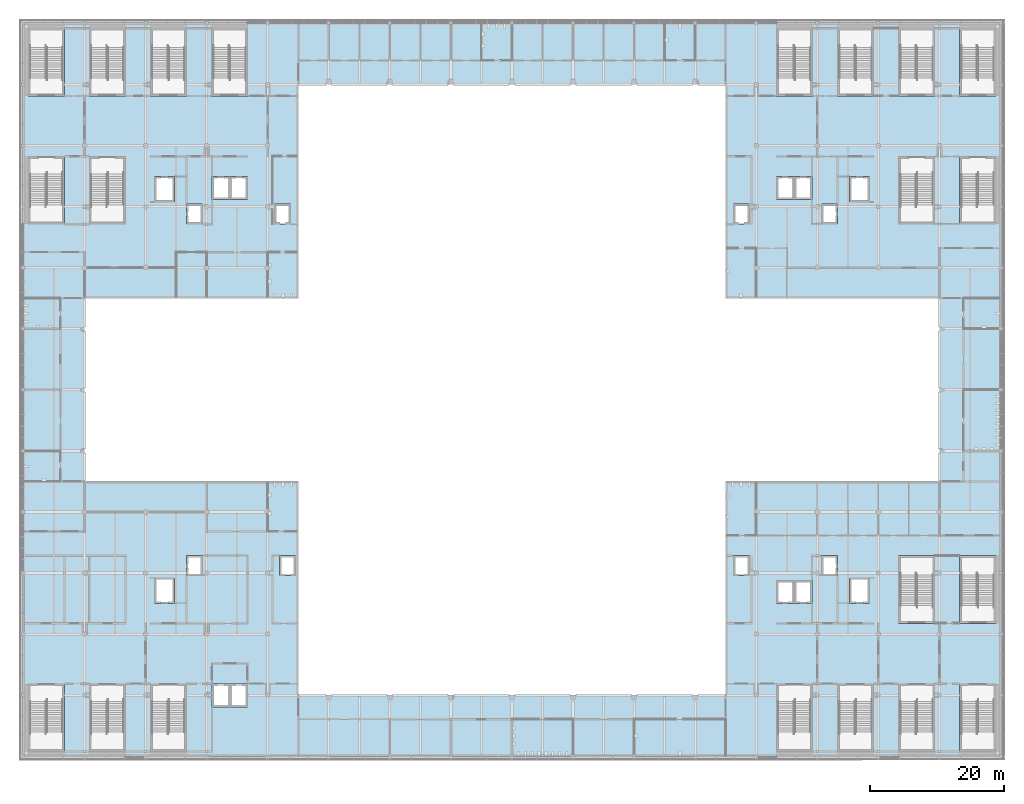
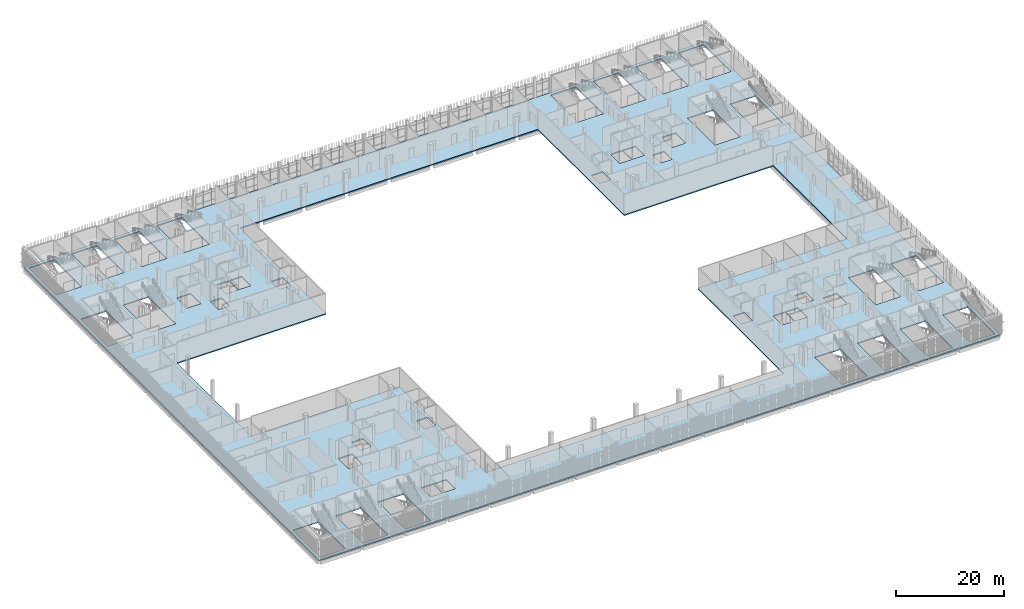
# One storey, part 60 of 124: 1 slab.
"""IFC4 building model written with IfcOpenShell, lengths in metres."""

from ifc_helpers import new_model, si_unit, direction, frame, origin, place, context, subcontext, project, spatial, polyline, outline, extrude, material, layer, layer_set, type_object, element, save


model = new_model("IFC4")

# Units and contexts
model_context = context("Model", 3, precision=1e-05, world=origin(), true_north=direction((0.0, 1.0)))
body_context = subcontext(model_context, "Body", "Model", "MODEL_VIEW")
ifc_project = project(units=[si_unit("LENGTHUNIT", "METRE"), si_unit("AREAUNIT", "SQUARE_METRE"), si_unit("VOLUMEUNIT", "CUBIC_METRE"), si_unit("PLANEANGLEUNIT", "RADIAN"), si_unit("MASSUNIT", "GRAM", prefix="KILO")], contexts=[model_context])

# Site, building, storey
site_placement = place(None, origin())
site = spatial("IfcSite", under=ifc_project, at=site_placement, CompositionType="ELEMENT")
building_placement = place(site_placement, origin())
building = spatial("IfcBuilding", under=site, at=building_placement, Name="Shirokan Park Arena", CompositionType="ELEMENT")
storey_placement = place(building_placement, frame((0.0, 0.0, 20.02001953125)))
storey = spatial("IfcBuildingStorey", under=building, at=storey_placement, Name="L04", CompositionType="ELEMENT", Elevation=20.02001953125)

# Slab
ifc_material = material(Name="Concrete C35", Category="concrete")
ifc_layer = layer(ifc_material, 0.25)
ifc_layer_set = layer_set([ifc_layer], Name="Concrete C35 250 mm")
slab_type = type_object("IfcSlabType", Name="RC floor slab 250", PredefinedType="FLOOR", material=ifc_layer_set)
slab_placement = place(storey_placement, frame((0.0, 0.0, -0.25)))
element("IfcSlab", 1, at=slab_placement, inside=storey, type_object=slab_type, Name="Floor slab L04", PredefinedType="FLOOR", context=body_context, shape_type="SweptSolid", body=[
    extrude(outline(polyline([(0.0, 109.199951171875), (145.60009765625, 109.199951171875), (145.60009765625, 0.0), (0.0, 0.0), (0.0, 109.199951171875)]), holes=[polyline([(136.5, 40.949951171875), (136.5, 68.25), (104.64990234375, 68.25), (104.64990234375, 100.10009765625), (40.949951171875, 100.10009765625), (40.949951171875, 68.25), (9.10009765625, 68.25), (9.10009765625, 40.949951171875), (40.949951171875, 40.949951171875), (40.949951171875, 9.10009765625), (104.64990234375, 9.10009765625), (104.64990234375, 40.949951171875), (136.5, 40.949951171875)]), polyline([(6.10009765625, 0.699951171875), (6.10009765625, 10.800048828125), (0.699951171875, 10.800048828125), (0.699951171875, 0.699951171875), (6.10009765625, 0.699951171875)]), polyline([(15.199951171875, 0.699951171875), (15.199951171875, 10.800048828125), (9.800048828125, 10.800048828125), (9.800048828125, 0.699951171875), (15.199951171875, 0.699951171875)]), polyline([(24.300048828125, 0.699951171875), (24.300048828125, 10.800048828125), (18.89990234375, 10.800048828125), (18.89990234375, 0.699951171875), (24.300048828125, 0.699951171875)]), polyline([(28.10009765625, 7.35009765625), (30.699951171875, 7.35009765625), (30.699951171875, 10.75), (28.10009765625, 10.75), (28.10009765625, 7.35009765625)]), polyline([(19.5, 22.800048828125), (22.5, 22.800048828125), (22.5, 26.60009765625), (19.5, 26.60009765625), (19.5, 22.800048828125)]), polyline([(26.699951171875, 26.89990234375), (26.699951171875, 29.89990234375), (24.300048828125, 29.89990234375), (24.300048828125, 26.89990234375), (26.699951171875, 26.89990234375)]), polyline([(26.699951171875, 79.300048828125), (26.699951171875, 82.300048828125), (24.300048828125, 82.300048828125), (24.300048828125, 79.300048828125), (26.699951171875, 79.300048828125)]), polyline([(6.10009765625, 79.300048828125), (6.10009765625, 89.39990234375), (0.699951171875, 89.39990234375), (0.699951171875, 79.300048828125), (6.10009765625, 79.300048828125)]), polyline([(9.800048828125, 79.300048828125), (15.199951171875, 79.300048828125), (15.199951171875, 89.39990234375), (9.800048828125, 89.39990234375), (9.800048828125, 79.300048828125)]), polyline([(19.5, 82.60009765625), (22.5, 82.60009765625), (22.5, 86.39990234375), (19.5, 86.39990234375), (19.5, 82.60009765625)]), polyline([(30.699951171875, 83.0), (30.699951171875, 86.39990234375), (28.10009765625, 86.39990234375), (28.10009765625, 83.0), (30.699951171875, 83.0)]), polyline([(6.10009765625, 98.39990234375), (6.10009765625, 108.5), (0.699951171875, 108.5), (0.699951171875, 98.39990234375), (6.10009765625, 98.39990234375)]), polyline([(15.199951171875, 98.39990234375), (15.199951171875, 108.5), (9.800048828125, 108.5), (9.800048828125, 98.39990234375), (15.199951171875, 98.39990234375)]), polyline([(18.89990234375, 98.39990234375), (24.300048828125, 98.39990234375), (24.300048828125, 108.5), (18.89990234375, 108.5), (18.89990234375, 98.39990234375)]), polyline([(112.199951171875, 0.699951171875), (117.60009765625, 0.699951171875), (117.60009765625, 10.800048828125), (112.199951171875, 10.800048828125), (112.199951171875, 0.699951171875)]), polyline([(33.39990234375, 7.35009765625), (33.39990234375, 10.75), (30.800048828125, 10.75), (30.800048828125, 7.35009765625), (33.39990234375, 7.35009765625)]), polyline([(114.800048828125, 22.800048828125), (114.800048828125, 26.199951171875), (112.199951171875, 26.199951171875), (112.199951171875, 22.800048828125), (114.800048828125, 22.800048828125)]), polyline([(117.5, 22.800048828125), (117.5, 26.199951171875), (114.89990234375, 26.199951171875), (114.89990234375, 22.800048828125), (117.5, 22.800048828125)]), polyline([(38.14990234375, 26.89990234375), (40.550048828125, 26.89990234375), (40.550048828125, 29.89990234375), (38.14990234375, 29.89990234375), (38.14990234375, 26.89990234375)]), polyline([(105.800048828125, 26.89990234375), (108.199951171875, 26.89990234375), (108.199951171875, 29.89990234375), (105.800048828125, 29.89990234375), (105.800048828125, 26.89990234375)]), polyline([(39.800048828125, 79.300048828125), (39.800048828125, 82.300048828125), (37.39990234375, 82.300048828125), (37.39990234375, 79.300048828125), (39.800048828125, 79.300048828125)]), polyline([(108.199951171875, 79.300048828125), (108.199951171875, 82.300048828125), (105.800048828125, 82.300048828125), (105.800048828125, 79.300048828125), (108.199951171875, 79.300048828125)]), polyline([(121.300048828125, 79.300048828125), (121.300048828125, 82.300048828125), (118.89990234375, 82.300048828125), (118.89990234375, 79.300048828125), (121.300048828125, 79.300048828125)]), polyline([(30.800048828125, 83.0), (33.39990234375, 83.0), (33.39990234375, 86.39990234375), (30.800048828125, 86.39990234375), (30.800048828125, 83.0)]), polyline([(112.199951171875, 83.0), (114.800048828125, 83.0), (114.800048828125, 86.39990234375), (112.199951171875, 86.39990234375), (112.199951171875, 83.0)]), polyline([(117.5, 83.0), (117.5, 86.39990234375), (114.89990234375, 86.39990234375), (114.89990234375, 83.0), (117.5, 83.0)]), polyline([(33.39990234375, 98.39990234375), (33.39990234375, 108.5), (28.0, 108.5), (28.0, 98.39990234375), (33.39990234375, 98.39990234375)]), polyline([(117.60009765625, 98.39990234375), (117.60009765625, 108.5), (112.199951171875, 108.5), (112.199951171875, 98.39990234375), (117.60009765625, 98.39990234375)]), polyline([(121.300048828125, 0.699951171875), (126.699951171875, 0.699951171875), (126.699951171875, 10.800048828125), (121.300048828125, 10.800048828125), (121.300048828125, 0.699951171875)]), polyline([(130.39990234375, 0.699951171875), (135.800048828125, 0.699951171875), (135.800048828125, 10.800048828125), (130.39990234375, 10.800048828125), (130.39990234375, 0.699951171875)]), polyline([(144.89990234375, 0.699951171875), (144.89990234375, 10.800048828125), (139.5, 10.800048828125), (139.5, 0.699951171875), (144.89990234375, 0.699951171875)]), polyline([(126.10009765625, 22.800048828125), (126.10009765625, 26.60009765625), (123.10009765625, 26.60009765625), (123.10009765625, 22.800048828125), (126.10009765625, 22.800048828125)]), polyline([(135.800048828125, 19.800048828125), (135.800048828125, 29.89990234375), (130.39990234375, 29.89990234375), (130.39990234375, 19.800048828125), (135.800048828125, 19.800048828125)]), polyline([(139.5, 19.800048828125), (144.89990234375, 19.800048828125), (144.89990234375, 29.89990234375), (139.5, 29.89990234375), (139.5, 19.800048828125)]), polyline([(118.89990234375, 26.89990234375), (121.300048828125, 26.89990234375), (121.300048828125, 29.89990234375), (118.89990234375, 29.89990234375), (118.89990234375, 26.89990234375)]), polyline([(135.800048828125, 79.300048828125), (135.800048828125, 89.39990234375), (130.39990234375, 89.39990234375), (130.39990234375, 79.300048828125), (135.800048828125, 79.300048828125)]), polyline([(139.5, 79.300048828125), (144.89990234375, 79.300048828125), (144.89990234375, 89.39990234375), (139.5, 89.39990234375), (139.5, 79.300048828125)]), polyline([(123.10009765625, 82.60009765625), (126.10009765625, 82.60009765625), (126.10009765625, 86.39990234375), (123.10009765625, 86.39990234375), (123.10009765625, 82.60009765625)]), polyline([(126.699951171875, 98.39990234375), (126.699951171875, 108.5), (121.300048828125, 108.5), (121.300048828125, 98.39990234375), (126.699951171875, 98.39990234375)]), polyline([(130.39990234375, 98.39990234375), (135.800048828125, 98.39990234375), (135.800048828125, 108.5), (130.39990234375, 108.5), (130.39990234375, 98.39990234375)]), polyline([(139.5, 98.39990234375), (144.89990234375, 98.39990234375), (144.89990234375, 108.5), (139.5, 108.5), (139.5, 98.39990234375)])]), origin(), (0.0, 0.0, 1.0), 0.25),
])

save(model, "model.ifc")
